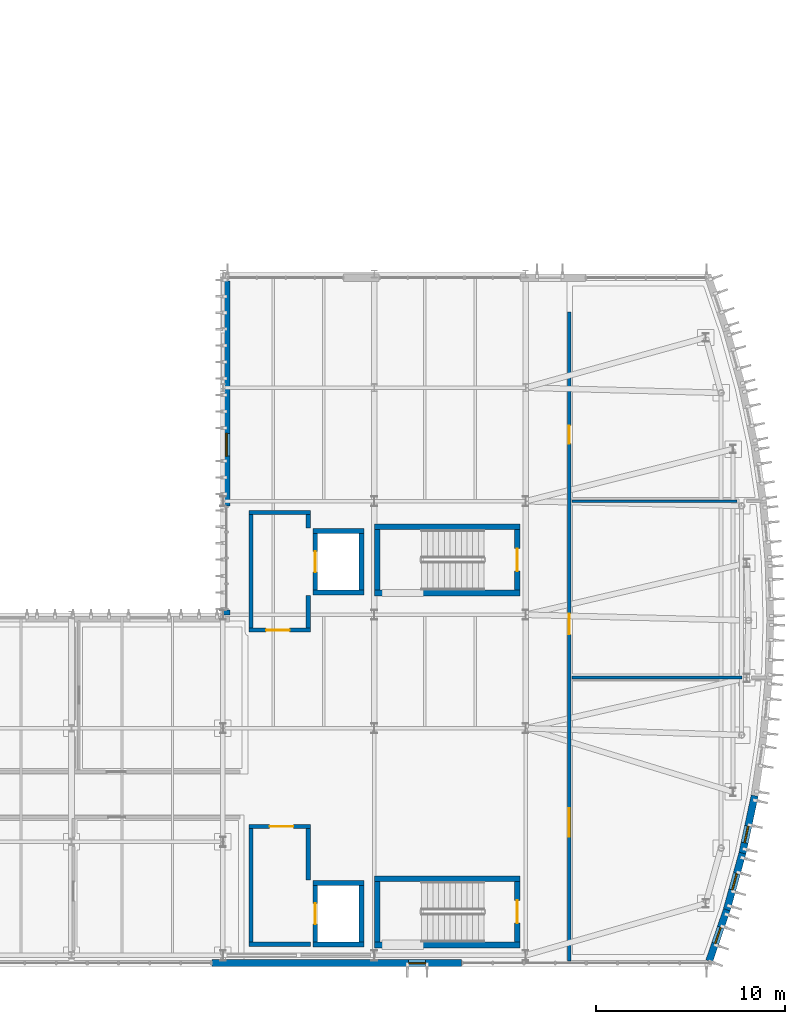
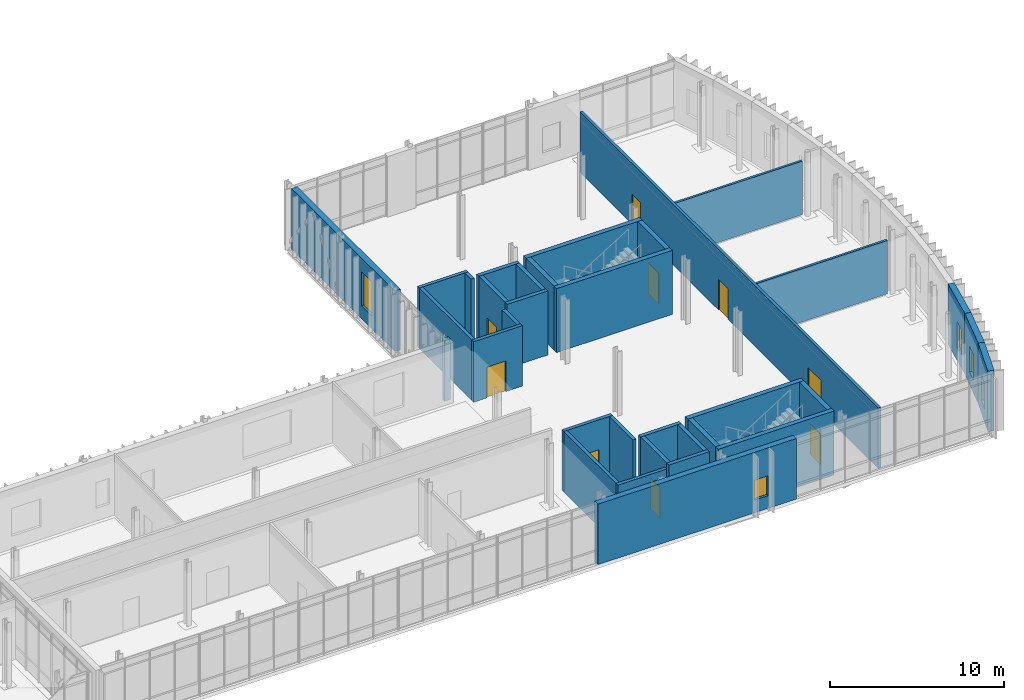
# One storey, part 75 of 100: 34 walls, 9 doors, 5 windows, 14 openings.
"""IFC4 building model written with IfcOpenShell, lengths in metres."""

from ifc_helpers import new_model, si_unit, direction, frame, frame_2d, origin, place, context, subcontext, project, spatial, rectangle, extrude, material, layer, layer_set, type_object, element, fill, save


model = new_model("IFC4")

# Units and contexts
model_context = context("Model", 3, precision=1e-05, world=origin(), true_north=direction((0.0, 1.0)))
body_context = subcontext(model_context, "Body", "Model", "MODEL_VIEW")
ifc_project = project(units=[si_unit("LENGTHUNIT", "METRE"), si_unit("AREAUNIT", "SQUARE_METRE"), si_unit("VOLUMEUNIT", "CUBIC_METRE"), si_unit("PLANEANGLEUNIT", "RADIAN"), si_unit("MASSUNIT", "GRAM", prefix="KILO")], contexts=[model_context])

# Site, building, storey
site_placement = place(None, origin())
site = spatial("IfcSite", under=ifc_project, at=site_placement, CompositionType="ELEMENT")
building_placement = place(site_placement, origin())
building = spatial("IfcBuilding", under=site, at=building_placement, Name="Cymarion Research Institute", CompositionType="ELEMENT")
storey_placement = place(building_placement, frame((0.0, 0.0, 9.300048828125)))
storey = spatial("IfcBuildingStorey", under=building, at=storey_placement, Name="L02", CompositionType="ELEMENT", Elevation=9.300048828125)

# Wall, opening, window
ifc_material_1 = material(Name="Precast concrete C40/50", Category="concrete")
ifc_layer_1 = layer(ifc_material_1, 0.3798828125)
ifc_layer_set_1 = layer_set([ifc_layer_1], Name="Precast concrete C40/50")
wall_type_1 = type_object("IfcWallType", Name="EXTERIOR WALL EW-PC380 380MM", PredefinedType="SOLIDWALL", material=ifc_layer_set_1)
wall_1_placement = place(storey_placement, frame((138.027587890625, 5.090087890625, 0.0), z_axis=(0.0, 0.0, 1.0), x_axis=(1.0, 0.0, 0.0)))
wall_1 = element("IfcWall", 1, at=wall_1_placement, inside=storey, type_object=wall_type_1, Name="L02 V1 facade pier wall EW-PC380 #118", PredefinedType="SOLIDWALL", context=body_context, shape_type="SweptSolid", body=[
    extrude(rectangle(XDim=13.186279296875, YDim=0.3798828125, at=frame_2d((6.59326171875, 0.0))), origin(), (0.0, 0.0, 1.0), 4.25),
])
opening_1_placement = place(wall_1_placement, frame((10.388916015625, 0.0, 0.89990234375)))
opening_1 = element("IfcOpeningElement", 2, at=opening_1_placement, cuts=wall_1, Name="Opening W25", PredefinedType="OPENING", context=body_context, shape_type="SweptSolid", body=[
    extrude(rectangle(XDim=0.89990234375, YDim=1.39990234375, at=frame_2d((0.449951171875, 0.699951171875))), frame((0.0, 0.199951171875, 0.0), z_axis=(0.0, -1.0, 0.0), x_axis=(1.0, 0.0, 0.0)), (0.0, 0.0, 1.0), 0.39990234375),
])
ifc_material_2 = material(Name="Thermally broken aluminium window with Low-E glazing", Category="aluminium")
window_type_1 = type_object("IfcWindowType", Name="THERMALLY BROKEN ALUMINIUM WINDOW W25 900X1400", PartitioningType="SINGLE_PANEL", PredefinedType="WINDOW", material=ifc_material_2)
window_1_placement = place(opening_1_placement, origin())
window_1 = element("IfcWindow", 3, at=window_1_placement, inside=storey, type_object=window_type_1, Name="L02 V1 facade window W25 #226", OverallHeight=1.39990234375, OverallWidth=0.89990234375, PartitioningType="SINGLE_PANEL", PredefinedType="WINDOW", context=body_context, shape_type="SweptSolid", body=[
    extrude(rectangle(XDim=0.89990234375, YDim=1.39990234375, at=frame_2d((0.449951171875, 0.699951171875))), frame((0.0, 0.030029296875, 0.0), z_axis=(0.0, -1.0, 0.0), x_axis=(1.0, 0.0, 0.0)), (0.0, 0.0, 1.0), 0.06005859375),
])
fill(opening_1, window_1)

wall_2_placement = place(storey_placement, frame((164.30224609375, 5.201416015625, 0.0), z_axis=(0.0, 0.0, 1.0), x_axis=(0.323739917301, 0.946146112366, 0.0)))
wall_2 = element("IfcWall", 4, at=wall_2_placement, inside=storey, type_object=wall_type_1, Name="L02 V1 exterior wall EW-PC380 #119", PredefinedType="SOLIDWALL", context=body_context, shape_type="SweptSolid", body=[
    extrude(rectangle(XDim=2.862548828125, YDim=0.3798828125, at=frame_2d((1.43115234375, 0.0))), origin(), (0.0, 0.0, 1.0), 4.25),
])
opening_2_placement = place(wall_2_placement, frame((0.98095703125, 0.0, 0.89990234375)))
opening_2 = element("IfcOpeningElement", 5, at=opening_2_placement, cuts=wall_2, Name="Opening W24", PredefinedType="OPENING", context=body_context, shape_type="SweptSolid", body=[
    extrude(rectangle(XDim=0.89990234375, YDim=1.800048828125, at=frame_2d((0.449951171875, 0.89990234375))), frame((0.0, 0.199951171875, 0.0), z_axis=(0.0, -1.0, 0.0), x_axis=(1.0, 0.0, 0.0)), (0.0, 0.0, 1.0), 0.39990234375),
])
window_type_2 = type_object("IfcWindowType", Name="THERMALLY BROKEN ALUMINIUM WINDOW W24 900X1800", PartitioningType="SINGLE_PANEL", PredefinedType="WINDOW", material=ifc_material_2)
window_2_placement = place(opening_2_placement, origin())
window_2 = element("IfcWindow", 6, at=window_2_placement, inside=storey, type_object=window_type_2, Name="L02 V1 facade window W24 #227", OverallHeight=1.800048828125, OverallWidth=0.89990234375, PartitioningType="SINGLE_PANEL", PredefinedType="WINDOW", context=body_context, shape_type="SweptSolid", body=[
    extrude(rectangle(XDim=0.89990234375, YDim=1.800048828125, at=frame_2d((0.449951171875, 0.89990234375))), frame((0.0, 0.030029296875, 0.0), z_axis=(0.0, -1.0, 0.0), x_axis=(1.0, 0.0, 0.0)), (0.0, 0.0, 1.0), 0.06005859375),
])
fill(opening_2, window_2)

wall_3_placement = place(storey_placement, frame((165.222412109375, 7.8876953125, 0.0), z_axis=(0.0, 0.0, 1.0), x_axis=(0.266536691105, 0.963824772609, 0.0)))
wall_3 = element("IfcWall", 7, at=wall_3_placement, inside=storey, type_object=wall_type_1, Name="L02 V1 exterior wall EW-PC380 #120", PredefinedType="SOLIDWALL", context=body_context, shape_type="SweptSolid", body=[
    extrude(rectangle(XDim=3.1279296875, YDim=0.3798828125, at=frame_2d((1.56396484375, 0.0))), origin(), (0.0, 0.0, 1.0), 4.25),
])
opening_3_placement = place(wall_3_placement, frame((1.114013671875, 0.0, 0.89990234375)))
opening_3 = element("IfcOpeningElement", 8, at=opening_3_placement, cuts=wall_3, Name="Opening W24", PredefinedType="OPENING", context=body_context, shape_type="SweptSolid", body=[
    extrude(rectangle(XDim=0.89990234375, YDim=1.800048828125, at=frame_2d((0.449951171875, 0.89990234375))), frame((0.0, 0.199951171875, 0.0), z_axis=(0.0, -1.0, 0.0), x_axis=(1.0, 0.0, 0.0)), (0.0, 0.0, 1.0), 0.39990234375),
])
window_3_placement = place(opening_3_placement, origin())
window_3 = element("IfcWindow", 9, at=window_3_placement, inside=storey, type_object=window_type_2, Name="L02 V1 facade window W24 #228", OverallHeight=1.800048828125, OverallWidth=0.89990234375, PartitioningType="SINGLE_PANEL", PredefinedType="WINDOW", context=body_context, shape_type="SweptSolid", body=[
    extrude(rectangle(XDim=0.89990234375, YDim=1.800048828125, at=frame_2d((0.449951171875, 0.89990234375))), frame((0.0, 0.030029296875, 0.0), z_axis=(0.0, -1.0, 0.0), x_axis=(1.0, 0.0, 0.0)), (0.0, 0.0, 1.0), 0.06005859375),
])
fill(opening_3, window_3)

wall_4_placement = place(storey_placement, frame((166.05078125, 10.8798828125, 0.0), z_axis=(0.0, 0.0, 1.0), x_axis=(0.208287141705, 0.978067720866, 0.0)))
wall_4 = element("IfcWall", 10, at=wall_4_placement, inside=storey, type_object=wall_type_1, Name="L02 V1 exterior wall EW-PC380 #121", PredefinedType="SOLIDWALL", context=body_context, shape_type="SweptSolid", body=[
    extrude(rectangle(XDim=3.12841796875, YDim=0.3798828125, at=frame_2d((1.564208984375, 0.0))), origin(), (0.0, 0.0, 1.0), 4.25),
])
opening_4_placement = place(wall_4_placement, frame((0.5830078125, 0.0, 0.89990234375)))
opening_4 = element("IfcOpeningElement", 11, at=opening_4_placement, cuts=wall_4, Name="Opening W24", PredefinedType="OPENING", context=body_context, shape_type="SweptSolid", body=[
    extrude(rectangle(XDim=0.89990234375, YDim=1.800048828125, at=frame_2d((0.449951171875, 0.89990234375))), frame((0.0, 0.199951171875, 0.0), z_axis=(0.0, -1.0, 0.0), x_axis=(1.0, 0.0, 0.0)), (0.0, 0.0, 1.0), 0.39990234375),
])
window_4_placement = place(opening_4_placement, origin())
window_4 = element("IfcWindow", 12, at=window_4_placement, inside=storey, type_object=window_type_2, Name="L02 V1 facade window W24 #229", OverallHeight=1.800048828125, OverallWidth=0.89990234375, PartitioningType="SINGLE_PANEL", PredefinedType="WINDOW", context=body_context, shape_type="SweptSolid", body=[
    extrude(rectangle(XDim=0.89990234375, YDim=1.800048828125, at=frame_2d((0.449951171875, 0.89990234375))), frame((0.0, 0.030029296875, 0.0), z_axis=(0.0, -1.0, 0.0), x_axis=(1.0, 0.0, 0.0)), (0.0, 0.0, 1.0), 0.06005859375),
])
fill(opening_4, window_4)

wall_5_placement = place(storey_placement, frame((138.7900390625, 41.137939453125, 0.0), z_axis=(0.0, 0.0, 1.0), x_axis=(0.0, -1.0, 0.0)))
wall_5 = element("IfcWall", 13, at=wall_5_placement, inside=storey, type_object=wall_type_1, Name="L02 V1 facade pier wall EW-PC380 #134", PredefinedType="SOLIDWALL", context=body_context, shape_type="SweptSolid", body=[
    extrude(rectangle(XDim=11.89794921875, YDim=0.3798828125, at=frame_2d((5.948974609375, 0.0))), origin(), (0.0, 0.0, 1.0), 4.25),
])
opening_5_placement = place(wall_5_placement, frame((8.048095703125, 0.0, 0.89990234375)))
opening_5 = element("IfcOpeningElement", 14, at=opening_5_placement, cuts=wall_5, Name="Opening W19", PredefinedType="OPENING", context=body_context, shape_type="SweptSolid", body=[
    extrude(rectangle(XDim=1.199951171875, YDim=2.39990234375, at=frame_2d((0.60009765625, 1.199951171875))), frame((0.0, 0.199951171875, 0.0), z_axis=(0.0, -1.0, 0.0), x_axis=(1.0, 0.0, 0.0)), (0.0, 0.0, 1.0), 0.39990234375),
])
window_type_3 = type_object("IfcWindowType", Name="THERMALLY BROKEN ALUMINIUM WINDOW W19 1200X2400", PartitioningType="SINGLE_PANEL", PredefinedType="WINDOW", material=ifc_material_2)
window_5_placement = place(opening_5_placement, origin())
window_5 = element("IfcWindow", 15, at=window_5_placement, inside=storey, type_object=window_type_3, Name="L02 V1 facade window W19 #240", OverallHeight=2.39990234375, OverallWidth=1.199951171875, PartitioningType="SINGLE_PANEL", PredefinedType="WINDOW", context=body_context, shape_type="SweptSolid", body=[
    extrude(rectangle(XDim=1.199951171875, YDim=2.39990234375, at=frame_2d((0.60009765625, 1.199951171875))), frame((0.0, 0.030029296875, 0.0), z_axis=(0.0, -1.0, 0.0), x_axis=(1.0, 0.0, 0.0)), (0.0, 0.0, 1.0), 0.06005859375),
])
fill(opening_5, window_5)

# Walls
wall_6_placement = place(storey_placement, frame((138.7900390625, 23.760009765625, 0.0), z_axis=(0.0, 0.0, 1.0), x_axis=(0.0, -1.0, 0.0)))
element("IfcWall", 16, at=wall_6_placement, inside=storey, type_object=wall_type_1, Name="L02 V1 facade pier wall EW-PC380 #135", PredefinedType="SOLIDWALL", context=body_context, shape_type="SweptSolid", body=[
    extrude(rectangle(XDim=0.260009765625, YDim=0.3798828125, at=frame_2d((0.1298828125, 0.0))), origin(), (0.0, 0.0, 1.0), 4.25),
])
ifc_material_3 = material(Name="Gypsum acoustic double-stud partition", Category="gypsum")
ifc_layer_2 = layer(ifc_material_3, 0.14990234375)
ifc_layer_set_2 = layer_set([ifc_layer_2], Name="Gypsum acoustic double-stud partition")
wall_type_2 = type_object("IfcWallType", Name="INTERIOR PARTITION IW-AC150 150MM", PredefinedType="PARTITIONING", material=ifc_layer_set_2)
wall_7_placement = place(storey_placement, frame((157.050048828125, 20.179931640625, 0.0), z_axis=(0.0, 0.0, 1.0), x_axis=(1.0, 0.0, 0.0)))
element("IfcWall", 17, at=wall_7_placement, inside=storey, type_object=wall_type_2, Name="L02 V1 interior partition IW-AC150 #173", PredefinedType="PARTITIONING", context=body_context, shape_type="SweptSolid", body=[
    extrude(rectangle(XDim=8.9853515625, YDim=0.14990234375, at=frame_2d((4.49267578125, 0.0))), origin(), (0.0, 0.0, 1.0), 3.75),
])
wall_8_placement = place(storey_placement, frame((157.050048828125, 29.5, 0.0), z_axis=(0.0, 0.0, 1.0), x_axis=(1.0, 0.0, 0.0)))
element("IfcWall", 18, at=wall_8_placement, inside=storey, type_object=wall_type_2, Name="L02 V1 interior partition IW-AC150 #175", PredefinedType="PARTITIONING", context=body_context, shape_type="SweptSolid", body=[
    extrude(rectangle(XDim=8.712890625, YDim=0.14990234375, at=frame_2d((4.3564453125, 0.0))), origin(), (0.0, 0.0, 1.0), 3.75),
])

# Wall, openings, doors
ifc_material_4 = material(Name="Moisture-resistant laboratory partition", Category="gypsum")
ifc_layer_3 = layer(ifc_material_4, 0.179931640625)
ifc_layer_set_3 = layer_set([ifc_layer_3], Name="Moisture-resistant laboratory partition")
wall_type_3 = type_object("IfcWallType", Name="INTERIOR PARTITION IW-LB180 180MM", PredefinedType="PARTITIONING", material=ifc_layer_set_3)
wall_9_placement = place(storey_placement, frame((156.89990234375, 5.205078125, 0.0), z_axis=(0.0, 0.0, 1.0), x_axis=(0.0, 1.0, 0.0)))
wall_9 = element("IfcWall", 19, at=wall_9_placement, inside=storey, type_object=wall_type_3, Name="L02 V1 interior partition IW-LB180 #172", PredefinedType="PARTITIONING", context=body_context, shape_type="SweptSolid", body=[
    extrude(rectangle(XDim=34.294921875, YDim=0.179931640625, at=frame_2d((17.1474609375, 0.0))), origin(), (0.0, 0.0, 1.0), 4.25),
])
opening_6_placement = place(wall_9_placement, frame((6.55908203125, 0.0, 0.0)))
opening_6 = element("IfcOpeningElement", 20, at=opening_6_placement, cuts=wall_9, Name="Opening D-L02-116", PredefinedType="OPENING", context=body_context, shape_type="SweptSolid", body=[
    extrude(rectangle(XDim=1.5, YDim=2.199951171875, at=frame_2d((0.75, 1.10009765625))), frame((0.0, 0.099853515625, 0.0), z_axis=(0.0, -1.0, 0.0), x_axis=(1.0, 0.0, 0.0)), (0.0, 0.0, 1.0), 0.199951171875),
])
opening_7_placement = place(wall_9_placement, frame((17.260986328125, 0.0, 0.0)))
opening_7 = element("IfcOpeningElement", 21, at=opening_7_placement, cuts=wall_9, Name="Opening D-L02-117", PredefinedType="OPENING", context=body_context, shape_type="SweptSolid", body=[
    extrude(rectangle(XDim=1.10009765625, YDim=2.14990234375, at=frame_2d((0.550048828125, 1.074951171875))), frame((0.0, 0.099853515625, 0.0), z_axis=(0.0, -1.0, 0.0), x_axis=(1.0, 0.0, 0.0)), (0.0, 0.0, 1.0), 0.199951171875),
])
opening_8_placement = place(wall_9_placement, frame((27.343017578125, 0.0, 0.0)))
opening_8 = element("IfcOpeningElement", 22, at=opening_8_placement, cuts=wall_9, Name="Opening D-L02-118", PredefinedType="OPENING", context=body_context, shape_type="SweptSolid", body=[
    extrude(rectangle(XDim=0.949951171875, YDim=2.10009765625, at=frame_2d((0.47509765625, 1.050048828125))), frame((0.0, 0.099853515625, 0.0), z_axis=(0.0, -1.0, 0.0), x_axis=(1.0, 0.0, 0.0)), (0.0, 0.0, 1.0), 0.199951171875),
])
ifc_material_5 = material(Name="Flush acoustic timber/steel door assembly", Category="steel")
door_type_1 = type_object("IfcDoorType", Name="FACULTY STUDY DOOR DT-OF095 950X2100", OperationType="NOTDEFINED", PredefinedType="DOOR", material=ifc_material_5)
door_1_placement = place(opening_8_placement, origin())
door_1 = element("IfcDoor", 23, at=door_1_placement, inside=storey, type_object=door_type_1, Name="L02 Prow Seminar door D-L02-118", OperationType="SINGLE_SWING_LEFT", OverallHeight=2.10009765625, OverallWidth=0.949951171875, PredefinedType="DOOR", context=body_context, shape_type="SweptSolid", body=[
    extrude(rectangle(XDim=0.949951171875, YDim=2.10009765625, at=frame_2d((0.47509765625, 1.050048828125))), frame((0.0, 0.02490234375, 0.0), z_axis=(0.0, -1.0, 0.0), x_axis=(1.0, 0.0, 0.0)), (0.0, 0.0, 1.0), 0.050048828125),
])
fill(opening_8, door_1)
door_type_2 = type_object("IfcDoorType", Name="LABORATORY EQUIPMENT DOUBLE DOOR DT-LB150 1500X2200", OperationType="DOUBLE_DOOR_SINGLE_SWING", PredefinedType="DOOR", material=ifc_material_5)
door_2_placement = place(opening_6_placement, origin())
door_2 = element("IfcDoor", 24, at=door_2_placement, inside=storey, type_object=door_type_2, Name="L02 Prow Lab 1 door D-L02-116", OperationType="DOUBLE_DOOR_SINGLE_SWING", OverallHeight=2.199951171875, OverallWidth=1.5, PredefinedType="DOOR", context=body_context, shape_type="SweptSolid", body=[
    extrude(rectangle(XDim=1.5, YDim=2.199951171875, at=frame_2d((0.75, 1.10009765625))), frame((0.0, 0.02490234375, 0.0), z_axis=(0.0, -1.0, 0.0), x_axis=(1.0, 0.0, 0.0)), (0.0, 0.0, 1.0), 0.050048828125),
])
fill(opening_6, door_2)
door_type_3 = type_object("IfcDoorType", Name="LABORATORY WIDE SINGLE DOOR DT-LB110 1100X2150", OperationType="NOTDEFINED", PredefinedType="DOOR", material=ifc_material_5)
door_3_placement = place(opening_7_placement, origin())
door_3 = element("IfcDoor", 25, at=door_3_placement, inside=storey, type_object=door_type_3, Name="L02 Prow Lab 2 door D-L02-117", OperationType="SINGLE_SWING_RIGHT", OverallHeight=2.14990234375, OverallWidth=1.10009765625, PredefinedType="DOOR", context=body_context, shape_type="SweptSolid", body=[
    extrude(rectangle(XDim=1.10009765625, YDim=2.14990234375, at=frame_2d((0.550048828125, 1.074951171875))), frame((0.0, 0.02490234375, 0.0), z_axis=(0.0, -1.0, 0.0), x_axis=(1.0, 0.0, 0.0)), (0.0, 0.0, 1.0), 0.050048828125),
])
fill(opening_7, door_3)

# Wall
ifc_material_6 = material(Name="Concrete C40/50", Category="concrete")
ifc_layer_4 = layer(ifc_material_6, 0.219970703125)
ifc_layer_set_4 = layer_set([ifc_layer_4], Name="Concrete C40/50")
wall_type_4 = type_object("IfcWallType", Name="REINFORCED CONCRETE CORE WALL CW-FF220 220MM", PredefinedType="SOLIDWALL", material=ifc_layer_set_4)
wall_10_placement = place(storey_placement, frame((139.97998046875, 6.090087890625, 0.0), z_axis=(0.0, 0.0, 1.0), x_axis=(1.0, 0.0, 0.0)))
element("IfcWall", 26, at=wall_10_placement, inside=storey, type_object=wall_type_4, Name="L02 FFL-LF1-L02 south core wall", PredefinedType="SOLIDWALL", context=body_context, shape_type="SweptSolid", body=[
    extrude(rectangle(XDim=3.239990234375, YDim=0.219970703125, at=frame_2d((1.6201171875, 0.0))), origin(), (0.0, 0.0, 1.0), 4.25),
])

# Wall, opening, door
wall_11_placement = place(storey_placement, frame((143.219970703125, 12.31005859375, 0.0), z_axis=(0.0, 0.0, 1.0), x_axis=(-1.0, 0.0, 0.0)))
wall_11 = element("IfcWall", 27, at=wall_11_placement, inside=storey, type_object=wall_type_4, Name="L02 FFL-LF1-L02 north core wall", PredefinedType="SOLIDWALL", context=body_context, shape_type="SweptSolid", body=[
    extrude(rectangle(XDim=3.239990234375, YDim=0.219970703125, at=frame_2d((1.6201171875, 0.0))), origin(), (0.0, 0.0, 1.0), 4.25),
])
opening_9_placement = place(wall_11_placement, frame((0.89990234375, 0.0, 0.0)))
opening_9 = element("IfcOpeningElement", 28, at=opening_9_placement, cuts=wall_11, Name="Opening FD-FFL-LF1-L02", PredefinedType="OPENING", context=body_context, shape_type="SweptSolid", body=[
    extrude(rectangle(XDim=1.25, YDim=2.14990234375, at=frame_2d((0.625, 1.074951171875))), frame((0.0, 0.119873046875, 0.0), z_axis=(0.0, -1.0, 0.0), x_axis=(1.0, 0.0, 0.0)), (0.0, 0.0, 1.0), 0.239990234375),
])
ifc_material_7 = material(Name="Fire-rated insulated steel door assembly", Category="steel")
door_type_4 = type_object("IfcDoorType", Name="FIREFIGHTING LOBBY DOOR DT-FF125 1250X2150", OperationType="NOTDEFINED", PredefinedType="DOOR", material=ifc_material_7)
door_4_placement = place(opening_9_placement, frame((1.25, 0.0, 0.0), z_axis=(0.0, 0.0, 1.0), x_axis=(-1.0, 0.0, 0.0)))
door_4 = element("IfcDoor", 29, at=door_4_placement, inside=storey, type_object=door_type_4, Name="L02 Firefighting lobby door FD-FFL-LF1-L02", OperationType="SINGLE_SWING_RIGHT", OverallHeight=2.14990234375, OverallWidth=1.25, PredefinedType="DOOR", context=body_context, shape_type="SweptSolid", body=[
    extrude(rectangle(XDim=1.25, YDim=2.14990234375, at=frame_2d((0.625, 1.074951171875))), frame((0.0, 0.02490234375, 0.0), z_axis=(0.0, -1.0, 0.0), x_axis=(1.0, 0.0, 0.0)), (0.0, 0.0, 1.0), 0.050048828125),
])
fill(opening_9, door_4)

# Walls
wall_12_placement = place(storey_placement, frame((140.090087890625, 12.199951171875, 0.0), z_axis=(0.0, 0.0, 1.0), x_axis=(0.0, -1.0, 0.0)))
element("IfcWall", 30, at=wall_12_placement, inside=storey, type_object=wall_type_4, Name="L02 FFL-LF1-L02 west core wall", PredefinedType="SOLIDWALL", context=body_context, shape_type="SweptSolid", body=[
    extrude(rectangle(XDim=6.0, YDim=0.219970703125, at=frame_2d((3.0, 0.0))), origin(), (0.0, 0.0, 1.0), 4.25),
])
wall_13_placement = place(storey_placement, frame((143.110107421875, 9.47998046875, 0.0), z_axis=(0.0, 0.0, 1.0), x_axis=(0.0, 1.0, 0.0)))
element("IfcWall", 31, at=wall_13_placement, inside=storey, type_object=wall_type_4, Name="Core C1 firefighting lobby east closure wall L02", PredefinedType="SOLIDWALL", context=body_context, shape_type="SweptSolid", body=[
    extrude(rectangle(XDim=2.719970703125, YDim=0.219970703125, at=frame_2d((1.35986328125, 0.0))), origin(), (0.0, 0.0, 1.0), 4.25),
])

# Wall, opening, door
wall_14_placement = place(storey_placement, frame((139.97998046875, 22.68994140625, 0.0), z_axis=(0.0, 0.0, 1.0), x_axis=(1.0, 0.0, 0.0)))
wall_14 = element("IfcWall", 32, at=wall_14_placement, inside=storey, type_object=wall_type_4, Name="L02 FFL-LF2-L02 south core wall", PredefinedType="SOLIDWALL", context=body_context, shape_type="SweptSolid", body=[
    extrude(rectangle(XDim=3.239990234375, YDim=0.219970703125, at=frame_2d((1.6201171875, 0.0))), origin(), (0.0, 0.0, 1.0), 4.25),
])
opening_10_placement = place(wall_14_placement, frame((0.89990234375, 0.0, 0.0)))
opening_10 = element("IfcOpeningElement", 33, at=opening_10_placement, cuts=wall_14, Name="Opening FD-FFL-LF2-L02", PredefinedType="OPENING", context=body_context, shape_type="SweptSolid", body=[
    extrude(rectangle(XDim=1.25, YDim=2.14990234375, at=frame_2d((0.625, 1.074951171875))), frame((0.0, 0.119873046875, 0.0), z_axis=(0.0, -1.0, 0.0), x_axis=(1.0, 0.0, 0.0)), (0.0, 0.0, 1.0), 0.239990234375),
])
door_5_placement = place(opening_10_placement, frame((1.25, 0.0, 0.0), z_axis=(0.0, 0.0, 1.0), x_axis=(-1.0, 0.0, 0.0)))
door_5 = element("IfcDoor", 34, at=door_5_placement, inside=storey, type_object=door_type_4, Name="L02 Firefighting lobby door FD-FFL-LF2-L02", OperationType="SINGLE_SWING_RIGHT", OverallHeight=2.14990234375, OverallWidth=1.25, PredefinedType="DOOR", context=body_context, shape_type="SweptSolid", body=[
    extrude(rectangle(XDim=1.25, YDim=2.14990234375, at=frame_2d((0.625, 1.074951171875))), frame((0.0, 0.02490234375, 0.0), z_axis=(0.0, -1.0, 0.0), x_axis=(1.0, 0.0, 0.0)), (0.0, 0.0, 1.0), 0.050048828125),
])
fill(opening_10, door_5)

# Walls
wall_15_placement = place(storey_placement, frame((143.219970703125, 28.909912109375, 0.0), z_axis=(0.0, 0.0, 1.0), x_axis=(-1.0, 0.0, 0.0)))
element("IfcWall", 35, at=wall_15_placement, inside=storey, type_object=wall_type_4, Name="L02 FFL-LF2-L02 north core wall", PredefinedType="SOLIDWALL", context=body_context, shape_type="SweptSolid", body=[
    extrude(rectangle(XDim=3.239990234375, YDim=0.219970703125, at=frame_2d((1.6201171875, 0.0))), origin(), (0.0, 0.0, 1.0), 4.25),
])
wall_16_placement = place(storey_placement, frame((140.090087890625, 28.800048828125, 0.0), z_axis=(0.0, 0.0, 1.0), x_axis=(0.0, -1.0, 0.0)))
element("IfcWall", 36, at=wall_16_placement, inside=storey, type_object=wall_type_4, Name="L02 FFL-LF2-L02 west core wall", PredefinedType="SOLIDWALL", context=body_context, shape_type="SweptSolid", body=[
    extrude(rectangle(XDim=6.0, YDim=0.219970703125, at=frame_2d((3.0, 0.0))), origin(), (0.0, 0.0, 1.0), 4.25),
])
wall_17_placement = place(storey_placement, frame((143.110107421875, 22.800048828125, 0.0), z_axis=(0.0, 0.0, 1.0), x_axis=(0.0, 1.0, 0.0)))
element("IfcWall", 37, at=wall_17_placement, inside=storey, type_object=wall_type_4, Name="Core C2 firefighting lobby east closure wall L02 #1", PredefinedType="SOLIDWALL", context=body_context, shape_type="SweptSolid", body=[
    extrude(rectangle(XDim=1.719970703125, YDim=0.219970703125, at=frame_2d((0.85986328125, 0.0))), origin(), (0.0, 0.0, 1.0), 4.25),
])
wall_18_placement = place(storey_placement, frame((143.110107421875, 28.080078125, 0.0), z_axis=(0.0, 0.0, 1.0), x_axis=(0.0, 1.0, 0.0)))
element("IfcWall", 38, at=wall_18_placement, inside=storey, type_object=wall_type_4, Name="Core C2 firefighting lobby east closure wall L02 #2", PredefinedType="SOLIDWALL", context=body_context, shape_type="SweptSolid", body=[
    extrude(rectangle(XDim=0.719970703125, YDim=0.219970703125, at=frame_2d((0.35986328125, 0.0))), origin(), (0.0, 0.0, 1.0), 4.25),
])
ifc_layer_5 = layer(ifc_material_6, 0.25)
ifc_layer_set_5 = layer_set([ifc_layer_5], Name="Concrete C40/50")
wall_type_5 = type_object("IfcWallType", Name="REINFORCED CONCRETE CORE WALL CW-SH250 250MM", PredefinedType="SHEAR", material=ifc_layer_set_5)
for number, where, z_axis, x_axis, name in (
    (39, (143.35009765625, 6.074951171875, 0.0), (0.0, 0.0, 1.0), (1.0, 0.0, 0.0), "L02 LSH-LF1-L02 south core wall"),
    (40, (146.050048828125, 9.324951171875, 0.0), (0.0, 0.0, 1.0), (-1.0, 0.0, 0.0), "L02 LSH-LF1-L02 north core wall"),
):
    element("IfcWall", number, at=place(storey_placement, frame(where, z_axis=z_axis, x_axis=x_axis)), inside=storey, type_object=wall_type_5, Name=name, PredefinedType="SHEAR", context=body_context, shape_type="SweptSolid", body=[
        extrude(rectangle(XDim=2.699951171875, YDim=0.25, at=frame_2d((1.35009765625, 0.0))), origin(), (0.0, 0.0, 1.0), 4.5),
    ])

# Wall, opening, door
wall_19_placement = place(storey_placement, frame((143.47509765625, 9.199951171875, 0.0), z_axis=(0.0, 0.0, 1.0), x_axis=(0.0, -1.0, 0.0)))
wall_19 = element("IfcWall", 41, at=wall_19_placement, inside=storey, type_object=wall_type_5, Name="L02 LSH-LF1-L02 west core wall", PredefinedType="SHEAR", context=body_context, shape_type="SweptSolid", body=[
    extrude(rectangle(XDim=3.0, YDim=0.25, at=frame_2d((1.5, 0.0))), origin(), (0.0, 0.0, 1.0), 4.5),
])
opening_11_placement = place(wall_19_placement, frame((0.949951171875, 0.0, 0.0)))
opening_11 = element("IfcOpeningElement", 42, at=opening_11_placement, cuts=wall_19, Name="Opening LD-LF1-L02", PredefinedType="OPENING", context=body_context, shape_type="SweptSolid", body=[
    extrude(rectangle(XDim=1.10009765625, YDim=2.14990234375, at=frame_2d((0.550048828125, 1.074951171875))), frame((0.0, 0.135009765625, 0.0), z_axis=(0.0, -1.0, 0.0), x_axis=(1.0, 0.0, 0.0)), (0.0, 0.0, 1.0), 0.27001953125),
])
door_type_5 = type_object("IfcDoorType", Name="SLIDING LIFT LANDING DOOR DT-LD110 1100X2150", OperationType="DOUBLE_DOOR_SLIDING", PredefinedType="DOOR", material=ifc_material_7)
door_6_placement = place(opening_11_placement, origin())
door_6 = element("IfcDoor", 43, at=door_6_placement, inside=storey, type_object=door_type_5, Name="Lift LF1 landing door L02", OperationType="DOUBLE_DOOR_SLIDING", OverallHeight=2.14990234375, OverallWidth=1.10009765625, PredefinedType="DOOR", context=body_context, shape_type="SweptSolid", body=[
    extrude(rectangle(XDim=1.10009765625, YDim=2.14990234375, at=frame_2d((0.550048828125, 1.074951171875))), frame((0.0, 0.02490234375, 0.0), z_axis=(0.0, -1.0, 0.0), x_axis=(1.0, 0.0, 0.0)), (0.0, 0.0, 1.0), 0.050048828125),
])
fill(opening_11, door_6)

# Walls
wall_20_placement = place(storey_placement, frame((145.925048828125, 6.199951171875, 0.0), z_axis=(0.0, 0.0, 1.0), x_axis=(0.0, 1.0, 0.0)))
element("IfcWall", 44, at=wall_20_placement, inside=storey, type_object=wall_type_5, Name="L02 LSH-LF1-L02 east core wall", PredefinedType="SHEAR", context=body_context, shape_type="SweptSolid", body=[
    extrude(rectangle(XDim=3.0, YDim=0.25, at=frame_2d((1.5, 0.0))), origin(), (0.0, 0.0, 1.0), 4.5),
])
for number, where, z_axis, x_axis, name in (
    (45, (143.35009765625, 24.675048828125, 0.0), (0.0, 0.0, 1.0), (1.0, 0.0, 0.0), "L02 LSH-LF2-L02 south core wall"),
    (46, (146.050048828125, 27.925048828125, 0.0), (0.0, 0.0, 1.0), (-1.0, 0.0, 0.0), "L02 LSH-LF2-L02 north core wall"),
):
    element("IfcWall", number, at=place(storey_placement, frame(where, z_axis=z_axis, x_axis=x_axis)), inside=storey, type_object=wall_type_5, Name=name, PredefinedType="SHEAR", context=body_context, shape_type="SweptSolid", body=[
        extrude(rectangle(XDim=2.699951171875, YDim=0.25, at=frame_2d((1.35009765625, 0.0))), origin(), (0.0, 0.0, 1.0), 4.5),
    ])

# Wall, opening, door
wall_21_placement = place(storey_placement, frame((143.47509765625, 27.800048828125, 0.0), z_axis=(0.0, 0.0, 1.0), x_axis=(0.0, -1.0, 0.0)))
wall_21 = element("IfcWall", 47, at=wall_21_placement, inside=storey, type_object=wall_type_5, Name="L02 LSH-LF2-L02 west core wall", PredefinedType="SHEAR", context=body_context, shape_type="SweptSolid", body=[
    extrude(rectangle(XDim=3.0, YDim=0.25, at=frame_2d((1.5, 0.0))), origin(), (0.0, 0.0, 1.0), 4.5),
])
opening_12_placement = place(wall_21_placement, frame((0.949951171875, 0.0, 0.0)))
opening_12 = element("IfcOpeningElement", 48, at=opening_12_placement, cuts=wall_21, Name="Opening LD-LF2-L02", PredefinedType="OPENING", context=body_context, shape_type="SweptSolid", body=[
    extrude(rectangle(XDim=1.10009765625, YDim=2.14990234375, at=frame_2d((0.550048828125, 1.074951171875))), frame((0.0, 0.135009765625, 0.0), z_axis=(0.0, -1.0, 0.0), x_axis=(1.0, 0.0, 0.0)), (0.0, 0.0, 1.0), 0.27001953125),
])
door_7_placement = place(opening_12_placement, origin())
door_7 = element("IfcDoor", 49, at=door_7_placement, inside=storey, type_object=door_type_5, Name="Lift LF2 landing door L02", OperationType="DOUBLE_DOOR_SLIDING", OverallHeight=2.14990234375, OverallWidth=1.10009765625, PredefinedType="DOOR", context=body_context, shape_type="SweptSolid", body=[
    extrude(rectangle(XDim=1.10009765625, YDim=2.14990234375, at=frame_2d((0.550048828125, 1.074951171875))), frame((0.0, 0.02490234375, 0.0), z_axis=(0.0, -1.0, 0.0), x_axis=(1.0, 0.0, 0.0)), (0.0, 0.0, 1.0), 0.050048828125),
])
fill(opening_12, door_7)

# Walls
wall_22_placement = place(storey_placement, frame((145.925048828125, 24.800048828125, 0.0), z_axis=(0.0, 0.0, 1.0), x_axis=(0.0, 1.0, 0.0)))
element("IfcWall", 50, at=wall_22_placement, inside=storey, type_object=wall_type_5, Name="L02 LSH-LF2-L02 east core wall", PredefinedType="SHEAR", context=body_context, shape_type="SweptSolid", body=[
    extrude(rectangle(XDim=3.0, YDim=0.25, at=frame_2d((1.5, 0.0))), origin(), (0.0, 0.0, 1.0), 4.5),
])
ifc_layer_6 = layer(ifc_material_6, 0.300048828125)
ifc_layer_set_6 = layer_set([ifc_layer_6], Name="Concrete C40/50")
wall_type_6 = type_object("IfcWallType", Name="REINFORCED CONCRETE CORE WALL CW-SH300 300MM", PredefinedType="SHEAR", material=ifc_layer_set_6)
for number, where, z_axis, x_axis, name in (
    (51, (146.60009765625, 6.050048828125, 0.0), (0.0, 0.0, 1.0), (1.0, 0.0, 0.0), "L02 SHW-C1-L02 south core wall"),
    (52, (154.300048828125, 9.550048828125, 0.0), (0.0, 0.0, 1.0), (-1.0, 0.0, 0.0), "L02 SHW-C1-L02 north core wall"),
):
    element("IfcWall", number, at=place(storey_placement, frame(where, z_axis=z_axis, x_axis=x_axis)), inside=storey, type_object=wall_type_6, Name=name, PredefinedType="SHEAR", context=body_context, shape_type="SweptSolid", body=[
        extrude(rectangle(XDim=7.699951171875, YDim=0.300048828125, at=frame_2d((3.85009765625, 0.0))), origin(), (0.0, 0.0, 1.0), 4.5),
    ])
wall_23_placement = place(storey_placement, frame((146.75, 9.39990234375, 0.0), z_axis=(0.0, 0.0, 1.0), x_axis=(0.0, -1.0, 0.0)))
element("IfcWall", 53, at=wall_23_placement, inside=storey, type_object=wall_type_6, Name="L02 SHW-C1-L02 west core wall", PredefinedType="SHEAR", context=body_context, shape_type="SweptSolid", body=[
    extrude(rectangle(XDim=3.199951171875, YDim=0.300048828125, at=frame_2d((1.60009765625, 0.0))), origin(), (0.0, 0.0, 1.0), 4.5),
])

# Wall, opening, door
wall_24_placement = place(storey_placement, frame((154.14990234375, 6.199951171875, 0.0), z_axis=(0.0, 0.0, 1.0), x_axis=(0.0, 1.0, 0.0)))
wall_24 = element("IfcWall", 54, at=wall_24_placement, inside=storey, type_object=wall_type_6, Name="L02 SHW-C1-L02 east core wall", PredefinedType="SHEAR", context=body_context, shape_type="SweptSolid", body=[
    extrude(rectangle(XDim=3.199951171875, YDim=0.300048828125, at=frame_2d((1.60009765625, 0.0))), origin(), (0.0, 0.0, 1.0), 4.5),
])
opening_13_placement = place(wall_24_placement, frame((1.0, 0.0, 0.0)))
opening_13 = element("IfcOpeningElement", 55, at=opening_13_placement, cuts=wall_24, Name="Opening FD-L02-ST1", PredefinedType="OPENING", context=body_context, shape_type="SweptSolid", body=[
    extrude(rectangle(XDim=1.199951171875, YDim=2.14990234375, at=frame_2d((0.60009765625, 1.074951171875))), frame((0.0, 0.159912109375, 0.0), z_axis=(0.0, -1.0, 0.0), x_axis=(1.0, 0.0, 0.0)), (0.0, 0.0, 1.0), 0.320068359375),
])
door_type_6 = type_object("IfcDoorType", Name="SMOKE PROOF STAIR FIRE DOOR DT-ST120 1200X2150", OperationType="NOTDEFINED", PredefinedType="DOOR", material=ifc_material_7)
door_8_placement = place(opening_13_placement, origin())
door_8 = element("IfcDoor", 56, at=door_8_placement, inside=storey, type_object=door_type_6, Name="L02 ST1 smoke-proof stair door FD-L02-ST1", OperationType="SINGLE_SWING_RIGHT", OverallHeight=2.14990234375, OverallWidth=1.199951171875, PredefinedType="DOOR", context=body_context, shape_type="SweptSolid", body=[
    extrude(rectangle(XDim=1.199951171875, YDim=2.14990234375, at=frame_2d((0.60009765625, 1.074951171875))), frame((0.0, 0.02490234375, 0.0), z_axis=(0.0, -1.0, 0.0), x_axis=(1.0, 0.0, 0.0)), (0.0, 0.0, 1.0), 0.050048828125),
])
fill(opening_13, door_8)

# Walls
for number, where, z_axis, x_axis, name in (
    (57, (146.60009765625, 24.64990234375, 0.0), (0.0, 0.0, 1.0), (1.0, 0.0, 0.0), "L02 SHW-C2-L02 south core wall"),
    (58, (154.300048828125, 28.14990234375, 0.0), (0.0, 0.0, 1.0), (-1.0, 0.0, 0.0), "L02 SHW-C2-L02 north core wall"),
):
    element("IfcWall", number, at=place(storey_placement, frame(where, z_axis=z_axis, x_axis=x_axis)), inside=storey, type_object=wall_type_6, Name=name, PredefinedType="SHEAR", context=body_context, shape_type="SweptSolid", body=[
        extrude(rectangle(XDim=7.699951171875, YDim=0.300048828125, at=frame_2d((3.85009765625, 0.0))), origin(), (0.0, 0.0, 1.0), 4.5),
    ])
wall_25_placement = place(storey_placement, frame((146.75, 28.0, 0.0), z_axis=(0.0, 0.0, 1.0), x_axis=(0.0, -1.0, 0.0)))
element("IfcWall", 59, at=wall_25_placement, inside=storey, type_object=wall_type_6, Name="L02 SHW-C2-L02 west core wall", PredefinedType="SHEAR", context=body_context, shape_type="SweptSolid", body=[
    extrude(rectangle(XDim=3.199951171875, YDim=0.300048828125, at=frame_2d((1.60009765625, 0.0))), origin(), (0.0, 0.0, 1.0), 4.5),
])

# Wall, opening, door
wall_26_placement = place(storey_placement, frame((154.14990234375, 24.800048828125, 0.0), z_axis=(0.0, 0.0, 1.0), x_axis=(0.0, 1.0, 0.0)))
wall_26 = element("IfcWall", 60, at=wall_26_placement, inside=storey, type_object=wall_type_6, Name="L02 SHW-C2-L02 east core wall", PredefinedType="SHEAR", context=body_context, shape_type="SweptSolid", body=[
    extrude(rectangle(XDim=3.199951171875, YDim=0.300048828125, at=frame_2d((1.60009765625, 0.0))), origin(), (0.0, 0.0, 1.0), 4.5),
])
opening_14_placement = place(wall_26_placement, frame((1.0, 0.0, 0.0)))
opening_14 = element("IfcOpeningElement", 61, at=opening_14_placement, cuts=wall_26, Name="Opening FD-L02-ST2", PredefinedType="OPENING", context=body_context, shape_type="SweptSolid", body=[
    extrude(rectangle(XDim=1.199951171875, YDim=2.14990234375, at=frame_2d((0.60009765625, 1.074951171875))), frame((0.0, 0.159912109375, 0.0), z_axis=(0.0, -1.0, 0.0), x_axis=(1.0, 0.0, 0.0)), (0.0, 0.0, 1.0), 0.320068359375),
])
door_9_placement = place(opening_14_placement, origin())
door_9 = element("IfcDoor", 62, at=door_9_placement, inside=storey, type_object=door_type_6, Name="L02 ST2 smoke-proof stair door FD-L02-ST2", OperationType="SINGLE_SWING_LEFT", OverallHeight=2.14990234375, OverallWidth=1.199951171875, PredefinedType="DOOR", context=body_context, shape_type="SweptSolid", body=[
    extrude(rectangle(XDim=1.199951171875, YDim=2.14990234375, at=frame_2d((0.60009765625, 1.074951171875))), frame((0.0, 0.02490234375, 0.0), z_axis=(0.0, -1.0, 0.0), x_axis=(1.0, 0.0, 0.0)), (0.0, 0.0, 1.0), 0.050048828125),
])
fill(opening_14, door_9)

save(model, "model.ifc")
